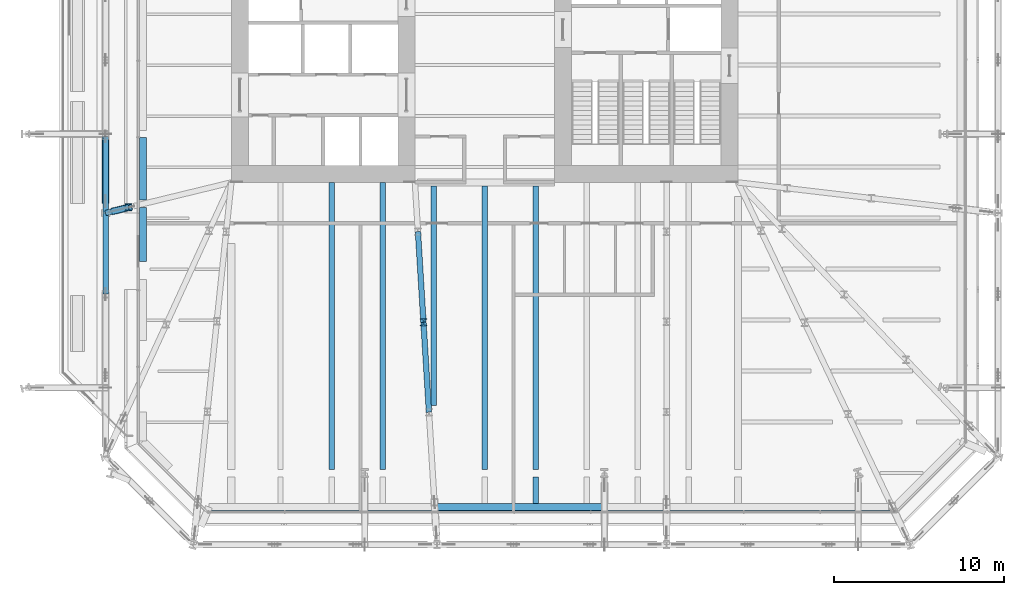
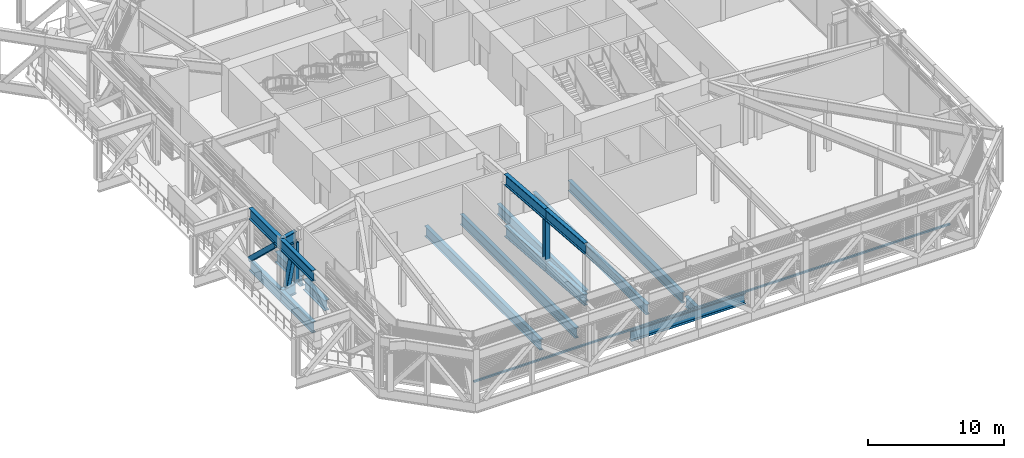
# One storey, part 4 of 29: 19 beams, 5 members, 1 element without a shape of its own.
"""IFC4 building model written with IfcOpenShell, lengths in metres."""

from ifc_helpers import new_model, si_unit, direction, frame, origin, origin_2d, place, context, subcontext, project, spatial, rectangle, hollow_rectangle, i_section, extrude, material, layer, layer_set, material_profile, profile_set, type_object, element, aggregate, save


model = new_model("IFC4")

# Units and contexts
model_context = context("Model", 3, precision=1e-05, world=origin(), true_north=direction((0.0, 1.0)))
body_context = subcontext(model_context, "Body", "Model", "MODEL_VIEW")
ifc_project = project(units=[si_unit("LENGTHUNIT", "METRE"), si_unit("AREAUNIT", "SQUARE_METRE"), si_unit("VOLUMEUNIT", "CUBIC_METRE"), si_unit("PLANEANGLEUNIT", "RADIAN"), si_unit("MASSUNIT", "GRAM", prefix="KILO")], contexts=[model_context])

# Site, building, storey
site_placement = place(None, origin())
site = spatial("IfcSite", under=ifc_project, at=site_placement, CompositionType="ELEMENT")
building_placement = place(site_placement, origin())
building = spatial("IfcBuilding", under=site, at=building_placement, Name="Millrace Tower", CompositionType="ELEMENT")
storey_placement = place(building_placement, frame((0.0, 0.0, 68.60009765625)))
storey = spatial("IfcBuildingStorey", under=building, at=storey_placement, Name="L15", CompositionType="ELEMENT", Elevation=68.60009765625)

# Curtain wall, member
ifc_material_1 = material(Name="Aluminium and glass", Category="aluminium")
ifc_layer = layer(ifc_material_1, 0.14990234375)
ifc_layer_set = layer_set([ifc_layer], Name="Aluminium and glass")
curtain_wall_type = type_object("IfcCurtainWallType", Name="CW-5 truss and plant storey louvred infill", PredefinedType="NOTDEFINED", material=ifc_layer_set)
curtain_wall_placement = place(storey_placement, origin())
curtain_wall = element("IfcCurtainWall", 1, at=curtain_wall_placement, inside=storey, type_object=curtain_wall_type, Name="Curtain wall B-F02 L15", PredefinedType="NOTDEFINED")
ifc_material_2 = material(Name="Aluminium", Category="aluminium")
ifc_material_profile_1 = material_profile(ifc_material_2, rectangle(XDim=0.14990234375, YDim=0.139892578125, at=origin_2d()))
ifc_profile_set_1 = profile_set([ifc_material_profile_1], Name="Aluminium")
member_type_1 = type_object("IfcMemberType", Name="CW-5 truss and plant storey louvred infill transom", PredefinedType="USERDEFINED", material=ifc_profile_set_1)
member_1_placement = place(storey_placement, frame((-16.199951171875, -29.27490234375, 0.06982421875), z_axis=(1.0, 0.0, 0.0), x_axis=(0.0, 1.0, 0.0)))
member_1 = element("IfcMember", 2, at=member_1_placement, type_object=member_type_1, Name="CW5 transom B-F02.1", ObjectType="TRANSOM", PredefinedType="USERDEFINED", context=body_context, shape_type="SweptSolid", body=[
    extrude(rectangle(XDim=0.14990234375, YDim=0.139892578125, at=origin_2d()), origin(), (0.0, 0.0, 1.0), 40.300048828125),
])
aggregate(curtain_wall, [member_1])

# Beams
ifc_material_3 = material(Name="Steel ASTM A992 Grade 50", Category="steel")
ifc_material_profile_2 = material_profile(ifc_material_3, i_section(OverallWidth=0.307373046875, OverallDepth=0.927001953125, WebThickness=0.01953125, FlangeThickness=0.031982421875, FilletRadius=0.01904296875, at=origin_2d()))
ifc_profile_set_2 = profile_set([ifc_material_profile_2], Name="Steel ASTM A992 Grade 50")
beam_type_1 = type_object("IfcBeamType", Name="Floor beam W36x194", PredefinedType="JOIST", material=ifc_profile_set_2)
for number, where, z_axis, x_axis, name in (
    (3, (-9.0, -26.77978515625, -0.66357421875), (0.0, 1.0, 0.0), (-1.0, 0.0, 0.0), "BM-B-L15-S1-S043-b"),
    (4, (-6.0, -26.77978515625, -0.66357421875), (0.0, 1.0, 0.0), (-1.0, 0.0, 0.0), "BM-B-L15-S1-S045-b"),
):
    element("IfcBeam", number, at=place(storey_placement, frame(where, z_axis=z_axis, x_axis=x_axis)), inside=storey, type_object=beam_type_1, Name=name, PredefinedType="JOIST", context=body_context, shape_type="SweptSolid", body=[
        extrude(i_section(OverallWidth=0.307373046875, OverallDepth=0.927001953125, WebThickness=0.01953125, FlangeThickness=0.031982421875, FilletRadius=0.01904296875, at=origin_2d()), origin(), (0.0, 0.0, 1.0), 16.8798828125),
    ])
beam_1_placement = place(storey_placement, frame((0.0, -26.77978515625, -0.66357421875), z_axis=(0.0, 1.0, 0.0), x_axis=(-1.0, 0.0, 0.0)))
element("IfcBeam", 5, at=beam_1_placement, inside=storey, type_object=beam_type_1, Name="BM-B-L15-S1-S049-b", PredefinedType="JOIST", context=body_context, shape_type="SweptSolid", body=[
    extrude(i_section(OverallWidth=0.307373046875, OverallDepth=0.927001953125, WebThickness=0.01953125, FlangeThickness=0.031982421875, FilletRadius=0.01904296875, at=origin_2d()), origin(), (0.0, 0.0, 1.0), 16.6689453125),
])
beam_2_placement = place(storey_placement, frame((3.0, -28.781005859375, -0.66357421875), z_axis=(0.0, 1.0, 0.0), x_axis=(-1.0, 0.0, 0.0)))
element("IfcBeam", 6, at=beam_2_placement, inside=storey, type_object=beam_type_1, Name="BM-B-L15-S1-S051-a", PredefinedType="JOIST", context=body_context, shape_type="SweptSolid", body=[
    extrude(i_section(OverallWidth=0.307373046875, OverallDepth=0.927001953125, WebThickness=0.01953125, FlangeThickness=0.031982421875, FilletRadius=0.01904296875, at=origin_2d()), origin(), (0.0, 0.0, 1.0), 1.560791015625),
])
beam_3_placement = place(storey_placement, frame((3.0, -26.77978515625, -0.66357421875), z_axis=(0.0, 1.0, 0.0), x_axis=(-1.0, 0.0, 0.0)))
element("IfcBeam", 7, at=beam_3_placement, inside=storey, type_object=beam_type_1, Name="BM-B-L15-S1-S051-b", PredefinedType="JOIST", context=body_context, shape_type="SweptSolid", body=[
    extrude(i_section(OverallWidth=0.307373046875, OverallDepth=0.927001953125, WebThickness=0.01953125, FlangeThickness=0.031982421875, FilletRadius=0.01904296875, at=origin_2d()), origin(), (0.0, 0.0, 1.0), 16.6689453125),
])
beam_4_placement = place(storey_placement, frame((-3.0, -23.0234375, -0.66357421875), z_axis=(0.0, 1.0, 0.0), x_axis=(-1.0, 0.0, 0.0)))
element("IfcBeam", 8, at=beam_4_placement, inside=storey, type_object=beam_type_1, Name="BM-B-L15-S1-S047-b", PredefinedType="JOIST", context=body_context, shape_type="SweptSolid", body=[
    extrude(i_section(OverallWidth=0.307373046875, OverallDepth=0.927001953125, WebThickness=0.01953125, FlangeThickness=0.031982421875, FilletRadius=0.01904296875, at=origin_2d()), origin(), (0.0, 0.0, 1.0), 12.91259765625),
])
ifc_material_4 = material(Name="Steel ASTM A992 Grade 50", Category="steel")
ifc_material_profile_3 = material_profile(ifc_material_4, i_section(OverallWidth=0.419189453125, OverallDepth=0.927001953125, WebThickness=0.019287109375, FlangeThickness=0.031982421875, FilletRadius=0.024169921875, at=origin_2d()))
ifc_profile_set_3 = profile_set([ifc_material_profile_3], Name="Steel ASTM A992 Grade 50")
beam_type_2 = type_object("IfcBeamType", Name="Ring beam short span W36x231", PredefinedType="SPANDREL", material=ifc_profile_set_3)
beam_5_placement = place(storey_placement, frame((-20.09033203125, -14.560546875, -0.66357421875), z_axis=(0.0, 1.0, 0.0), x_axis=(-1.0, 0.0, 0.0)))
element("IfcBeam", 9, at=beam_5_placement, inside=storey, type_object=beam_type_2, Name="RNG-B-L15-S1-01-b", PredefinedType="SPANDREL", context=body_context, shape_type="SweptSolid", body=[
    extrude(i_section(OverallWidth=0.419189453125, OverallDepth=0.927001953125, WebThickness=0.019287109375, FlangeThickness=0.031982421875, FilletRadius=0.024169921875, at=origin_2d()), origin(), (0.0, 0.0, 1.0), 3.1806640625),
])
beam_6_placement = place(storey_placement, frame((-20.09033203125, -10.94482421875, -0.66357421875), z_axis=(0.0, 1.0, 0.0), x_axis=(-1.0, 0.0, 0.0)))
element("IfcBeam", 10, at=beam_6_placement, inside=storey, type_object=beam_type_2, Name="RNG-B-L15-S1-02-a", PredefinedType="SPANDREL", context=body_context, shape_type="SweptSolid", body=[
    extrude(i_section(OverallWidth=0.419189453125, OverallDepth=0.927001953125, WebThickness=0.019287109375, FlangeThickness=0.031982421875, FilletRadius=0.024169921875, at=origin_2d()), origin(), (0.0, 0.0, 1.0), 3.6748046875),
])
beam_7_placement = place(storey_placement, frame((6.88720703125, -28.990478515625, -0.66357421875), z_axis=(-1.0, 0.0, 0.0), x_axis=(0.0, -1.0, 0.0)))
element("IfcBeam", 11, at=beam_7_placement, inside=storey, type_object=beam_type_2, Name="RNG-B-L15-S1-14-b", PredefinedType="SPANDREL", context=body_context, shape_type="SweptSolid", body=[
    extrude(i_section(OverallWidth=0.419189453125, OverallDepth=0.927001953125, WebThickness=0.019287109375, FlangeThickness=0.031982421875, FilletRadius=0.024169921875, at=origin_2d()), origin(), (0.0, 0.0, 1.0), 9.660400390625),
])

# Members
ifc_material_5 = material(Name="Steel ASTM A992 Grade 50", Category="steel")
ifc_material_profile_4 = material_profile(ifc_material_5, i_section(OverallWidth=0.411376953125, OverallDepth=0.434326171875, WebThickness=0.035888671875, FlangeThickness=0.057373046875, FilletRadius=0.01513671875, at=origin_2d()))
ifc_profile_set_4 = profile_set([ifc_material_profile_4], Name="Steel ASTM A992 Grade 50")
member_type_2 = type_object("IfcMemberType", Name="Transfer truss Vierendeel moment post W14x311", PredefinedType="POST", material=ifc_profile_set_4)
for number, where, z_axis, x_axis, name in (
    (12, (-3.59814453125, -18.124267578125, -0.2001953125), (0.0, 0.0, 1.0), (1.0, 0.0, 0.0), "TRS-L15-C03-V03"),
    (13, (-20.939697265625, -11.369140625, -0.2001953125), (0.0, 0.0, 1.0), (1.0, 0.0, 0.0), "TRS-L15-C16-V01"),
):
    element("IfcMember", number, at=place(storey_placement, frame(where, z_axis=z_axis, x_axis=x_axis)), inside=storey, type_object=member_type_2, Name=name, PredefinedType="POST", context=body_context, shape_type="SweptSolid", body=[
        extrude(i_section(OverallWidth=0.411376953125, OverallDepth=0.434326171875, WebThickness=0.035888671875, FlangeThickness=0.057373046875, FilletRadius=0.01513671875, at=origin_2d()), origin(), (0.0, 0.0, 1.0), 3.60693359375),
    ])

# Beams
ifc_material_6 = material(Name="Steel ASTM A992 Grade 50", Category="steel")
ifc_material_profile_5 = material_profile(ifc_material_6, i_section(OverallWidth=0.322509765625, OverallDepth=0.9931640625, WebThickness=0.0361328125, FlangeThickness=0.06494140625, FilletRadius=0.01904296875, at=origin_2d()))
ifc_profile_set_5 = profile_set([ifc_material_profile_5], Name="Steel ASTM A992 Grade 50")
beam_type_3 = type_object("IfcBeamType", Name="Transfer truss chord W36x387", PredefinedType="BEAM", material=ifc_profile_set_5)
for number, where, z_axis, x_axis, name in (
    (14, (-22.300048828125, -7.199951171875, -0.69677734375), (0.0, -1.0, 0.0), (1.0, 0.0, 0.0), "TRS-L15-R15-B03"),
    (15, (-22.300048828125, -7.199951171875, 3.9033203125), (0.0, -1.0, 0.0), (1.0, 0.0, 0.0), "TRS-L15-R15-T03"),
):
    element("IfcBeam", number, at=place(storey_placement, frame(where, z_axis=z_axis, x_axis=x_axis)), inside=storey, type_object=beam_type_3, Name=name, PredefinedType="BEAM", context=body_context, shape_type="SweptSolid", body=[
        extrude(i_section(OverallWidth=0.322509765625, OverallDepth=0.9931640625, WebThickness=0.0361328125, FlangeThickness=0.06494140625, FilletRadius=0.01904296875, at=origin_2d()), origin(), (0.0, 0.0, 1.0), 4.5),
    ])
for number, where, z_axis, x_axis, name in (
    (16, (-22.300048828125, -11.699951171875, -0.69677734375), (0.0, -1.0, 0.0), (1.0, 0.0, 0.0), "TRS-L15-R16-B01"),
    (17, (-22.300048828125, -11.699951171875, 3.9033203125), (0.0, -1.0, 0.0), (1.0, 0.0, 0.0), "TRS-L15-R16-T01"),
):
    element("IfcBeam", number, at=place(storey_placement, frame(where, z_axis=z_axis, x_axis=x_axis)), inside=storey, type_object=beam_type_3, Name=name, PredefinedType="BEAM", context=body_context, shape_type="SweptSolid", body=[
        extrude(i_section(OverallWidth=0.322509765625, OverallDepth=0.9931640625, WebThickness=0.0361328125, FlangeThickness=0.06494140625, FilletRadius=0.01904296875, at=origin_2d()), origin(), (0.0, 0.0, 1.0), 4.776123046875),
    ])
for number, where, z_axis, x_axis, name in (
    (18, (-3.275146484375, -23.41455078125, -0.69677734375), (-0.060941482925, 0.998141340522, 0.0), (-0.998141340522, -0.060941482925, 0.0), "TRS-L15-C03-B03"),
    (19, (-3.275146484375, -23.41455078125, 3.9033203125), (-0.060941482925, 0.998141340522, 0.0), (-0.998141340522, -0.060941482925, 0.0), "TRS-L15-C03-T03"),
):
    element("IfcBeam", number, at=place(storey_placement, frame(where, z_axis=z_axis, x_axis=x_axis)), inside=storey, type_object=beam_type_3, Name=name, PredefinedType="BEAM", context=body_context, shape_type="SweptSolid", body=[
        extrude(i_section(OverallWidth=0.322509765625, OverallDepth=0.9931640625, WebThickness=0.0361328125, FlangeThickness=0.06494140625, FilletRadius=0.01904296875, at=origin_2d()), origin(), (0.0, 0.0, 1.0), 5.300048828125),
    ])
for number, where, z_axis, x_axis, name in (
    (20, (-3.59814453125, -18.124267578125, -0.69677734375), (-0.060903680208, 0.998143647847, 0.0), (-0.998143647847, -0.060903680208, 0.0), "TRS-L15-C03-B04"),
    (21, (-3.59814453125, -18.124267578125, 3.9033203125), (-0.060903680208, 0.998143647847, 0.0), (-0.998143647847, -0.060903680208, 0.0), "TRS-L15-C03-T04"),
):
    element("IfcBeam", number, at=place(storey_placement, frame(where, z_axis=z_axis, x_axis=x_axis)), inside=storey, type_object=beam_type_3, Name=name, PredefinedType="BEAM", context=body_context, shape_type="SweptSolid", body=[
        extrude(i_section(OverallWidth=0.322509765625, OverallDepth=0.9931640625, WebThickness=0.0361328125, FlangeThickness=0.06494140625, FilletRadius=0.01904296875, at=origin_2d()), origin(), (0.0, 0.0, 1.0), 5.339599609375),
    ])
for number, where, z_axis, x_axis, name in (
    (22, (-22.300048828125, -11.699951171875, -0.69677734375), (0.971681672628, 0.236293730512, 0.0), (-0.236293730512, 0.971681672628, 0.0), "TRS-L15-C16-B01"),
    (23, (-22.300048828125, -11.699951171875, 3.9033203125), (0.971681672628, 0.236293730512, 0.0), (-0.236293730512, 0.971681672628, 0.0), "TRS-L15-C16-T01"),
):
    element("IfcBeam", number, at=place(storey_placement, frame(where, z_axis=z_axis, x_axis=x_axis)), inside=storey, type_object=beam_type_3, Name=name, PredefinedType="BEAM", context=body_context, shape_type="SweptSolid", body=[
        extrude(i_section(OverallWidth=0.322509765625, OverallDepth=0.9931640625, WebThickness=0.0361328125, FlangeThickness=0.06494140625, FilletRadius=0.01904296875, at=origin_2d()), origin(), (0.0, 0.0, 1.0), 1.39990234375),
    ])

# Members
ifc_material_7 = material(Name="Steel ASTM A500 Grade C", Category="steel")
ifc_material_profile_6 = material_profile(ifc_material_7, hollow_rectangle(XDim=0.406494140625, YDim=0.406494140625, WallThickness=0.015869140625, InnerFilletRadius=0.008056640625, OuterFilletRadius=0.02392578125, at=origin_2d()))
ifc_profile_set_6 = profile_set([ifc_material_profile_6], Name="Steel ASTM A500 Grade C")
member_type_3 = type_object("IfcMemberType", Name="Transfer truss diagonal HSS16x16x5/8", PredefinedType="BRACE", material=ifc_profile_set_6)
member_2_placement = place(storey_placement, frame((-22.300048828125, -7.199951171875, -0.2001953125), z_axis=(0.0, -0.72529603748, 0.688437112607), x_axis=(1.0, 0.0, 0.0)))
element("IfcMember", 24, at=member_2_placement, inside=storey, type_object=member_type_3, Name="TRS-L15-R15-D03", PredefinedType="BRACE", context=body_context, shape_type="SweptSolid", body=[
    extrude(hollow_rectangle(XDim=0.406494140625, YDim=0.406494140625, WallThickness=0.015869140625, InnerFilletRadius=0.008056640625, OuterFilletRadius=0.02392578125, at=origin_2d()), origin(), (0.0, 0.0, 1.0), 5.2392578125),
])
member_3_placement = place(storey_placement, frame((-21.755859375, -11.567626953125, -0.2001953125), z_axis=(0.220379303667, 0.053595086414, 0.973940721619), x_axis=(-0.236307077758, 0.971678426745, 0.0)))
element("IfcMember", 25, at=member_3_placement, inside=storey, type_object=member_type_3, Name="TRS-L15-C16-D01", PredefinedType="BRACE", context=body_context, shape_type="SweptSolid", body=[
    extrude(hollow_rectangle(XDim=0.406494140625, YDim=0.406494140625, WallThickness=0.015869140625, InnerFilletRadius=0.008056640625, OuterFilletRadius=0.02392578125, at=origin_2d()), origin(), (0.0, 0.0, 1.0), 3.703369140625),
])

save(model, "model.ifc")
